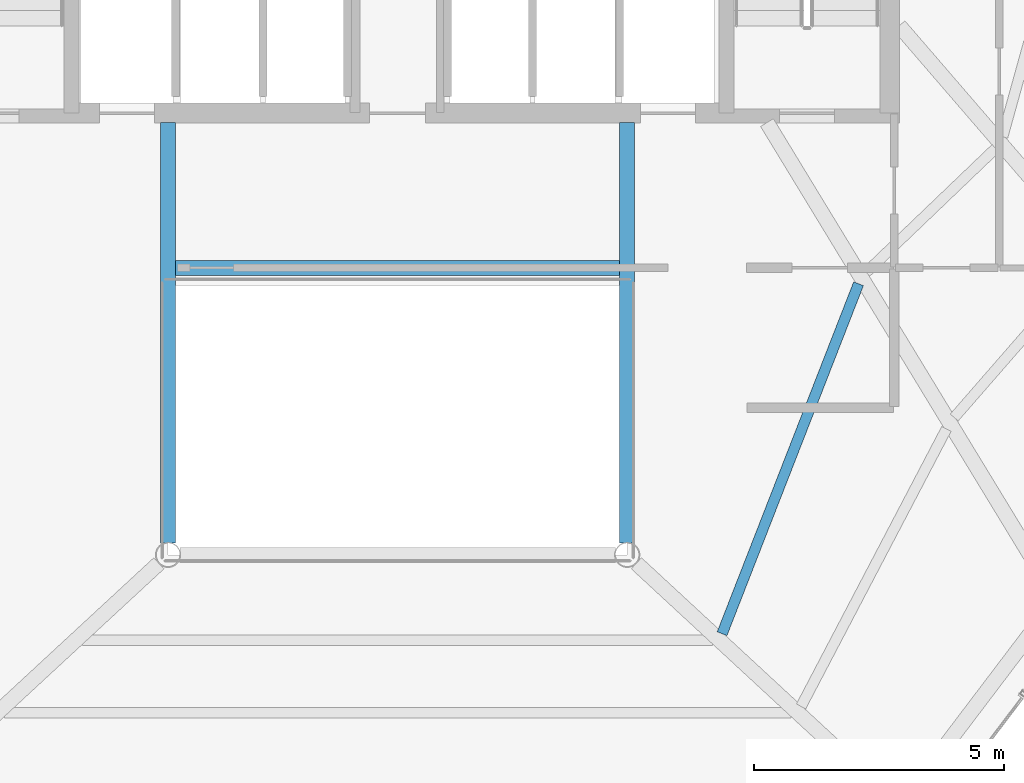
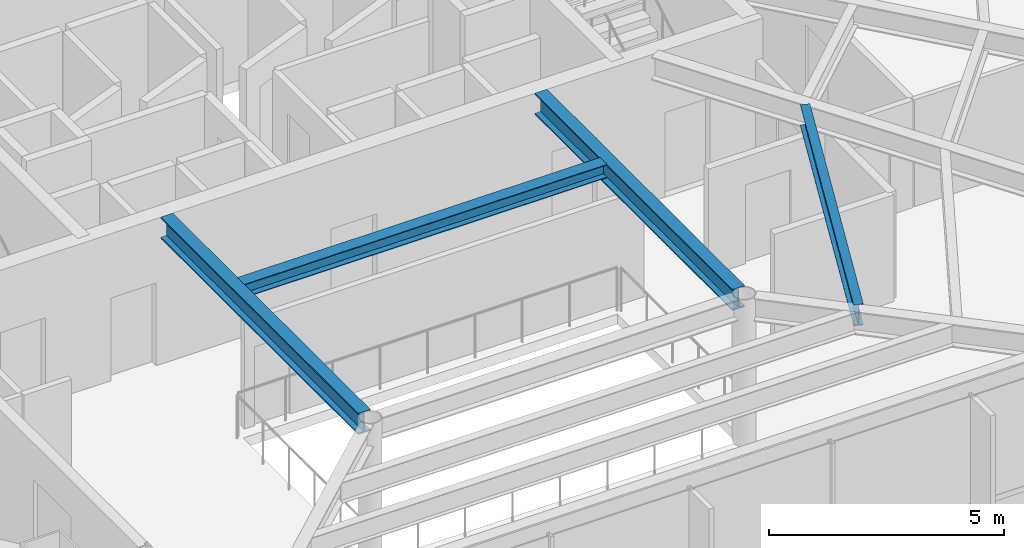
# One storey, part 7 of 24: 4 beams.
"""IFC4 building model written with IfcOpenShell, lengths in metres."""

from ifc_helpers import new_model, si_unit, direction, frame, origin, origin_2d, place, context, subcontext, project, spatial, i_section, extrude, material, material_profile, profile_set, type_object, element, save


model = new_model("IFC4")

# Units and contexts
model_context = context("Model", 3, precision=1e-05, world=origin(), true_north=direction((0.0, 1.0)))
body_context = subcontext(model_context, "Body", "Model", "MODEL_VIEW")
ifc_project = project(units=[si_unit("LENGTHUNIT", "METRE"), si_unit("AREAUNIT", "SQUARE_METRE"), si_unit("VOLUMEUNIT", "CUBIC_METRE"), si_unit("PLANEANGLEUNIT", "RADIAN"), si_unit("MASSUNIT", "GRAM", prefix="KILO")], contexts=[model_context])

# Site, building, storey
site_placement = place(None, origin())
site = spatial("IfcSite", under=ifc_project, at=site_placement, CompositionType="ELEMENT")
building_placement = place(site_placement, origin())
building = spatial("IfcBuilding", under=site, at=building_placement, Name="Zarrinselat Tower", CompositionType="ELEMENT")
storey_placement = place(building_placement, frame((0.0, 0.0, 64.260009765625)))
storey = spatial("IfcBuildingStorey", under=building, at=storey_placement, Name="L15", CompositionType="ELEMENT", Elevation=64.260009765625)

# Beams
ifc_material_1 = material(Name="Steel S355J2", Category="steel")
ifc_material_profile_1 = material_profile(ifc_material_1, i_section(OverallWidth=0.300048828125, OverallDepth=0.35009765625, WebThickness=0.010009765625, FlangeThickness=0.017578125, at=origin_2d()), Name="HEA 360")
ifc_profile_set_1 = profile_set([ifc_material_profile_1], Name="Steel S355J2")
beam_type_1 = type_object("IfcBeamType", Name="BM-HEA360", PredefinedType="LINTEL", material=ifc_profile_set_1)
beam_1_placement = place(storey_placement, frame((33.93994140625, 30.14990234375, 3.64501953125), z_axis=(1.0, 0.0, 0.0), x_axis=(0.0, 1.0, 0.0)))
element("IfcBeam", 1, at=beam_1_placement, inside=storey, type_object=beam_type_1, Name="L15 Lift Lobby Ceiling Beam", PredefinedType="LINTEL", context=body_context, shape_type="SweptSolid", body=[
    extrude(i_section(OverallWidth=0.300048828125, OverallDepth=0.35009765625, WebThickness=0.010009765625, FlangeThickness=0.017578125, at=origin_2d()), origin(), (0.0, 0.0, 1.0), 8.920166015625),
])
ifc_material_2 = material(Name="Steel S355J2", Category="steel")
ifc_material_profile_2 = material_profile(ifc_material_2, i_section(OverallWidth=0.300048828125, OverallDepth=0.550048828125, WebThickness=0.014892578125, FlangeThickness=0.029052734375, at=origin_2d()), Name="HEB 550")
ifc_profile_set_2 = profile_set([ifc_material_profile_2], Name="Steel S355J2")
beam_type_2 = type_object("IfcBeamType", Name="BM-HEB550", PredefinedType="BEAM", material=ifc_profile_set_2)
for number, where, z_axis, x_axis, name in (
    (2, (33.800048828125, 24.639892578125, 3.544921875), (0.0, 1.0, 0.0), (-1.0, 0.0, 0.0), "L15 Atrium Edge Beam W"),
    (3, (43.0, 24.639892578125, 3.544921875), (0.0, 1.0, 0.0), (-1.0, 0.0, 0.0), "L15 Atrium Edge Beam E"),
):
    element("IfcBeam", number, at=place(storey_placement, frame(where, z_axis=z_axis, x_axis=x_axis)), inside=storey, type_object=beam_type_2, Name=name, PredefinedType="BEAM", context=body_context, shape_type="SweptSolid", body=[
        extrude(i_section(OverallWidth=0.300048828125, OverallDepth=0.550048828125, WebThickness=0.014892578125, FlangeThickness=0.029052734375, at=origin_2d()), origin(), (0.0, 0.0, 1.0), 8.420166015625),
    ])
ifc_material_3 = material(Name="Steel S355J2", Category="steel")
ifc_material_profile_3 = material_profile(ifc_material_3, i_section(OverallWidth=0.2099609375, OverallDepth=0.550048828125, WebThickness=0.010986328125, FlangeThickness=0.01708984375, at=origin_2d()), Name="IPE 550")
ifc_profile_set_3 = profile_set([ifc_material_profile_3], Name="Steel S355J2")
beam_type_3 = type_object("IfcBeamType", Name="BM-IPE550", PredefinedType="JOIST", material=ifc_profile_set_3)
beam_2_placement = place(storey_placement, frame((44.900390625, 22.819580078125, 3.544921875), z_axis=(0.363283613285, 0.931678601407, 0.0), x_axis=(-0.931678601407, 0.363283613285, 0.0)))
element("IfcBeam", 4, at=beam_2_placement, inside=storey, type_object=beam_type_3, Name="L15 Composite Floor Joist 2-2", PredefinedType="JOIST", context=body_context, shape_type="SweptSolid", body=[
    extrude(i_section(OverallWidth=0.2099609375, OverallDepth=0.550048828125, WebThickness=0.010986328125, FlangeThickness=0.01708984375, at=origin_2d()), origin(), (0.0, 0.0, 1.0), 7.526123046875),
])

save(model, "model.ifc")
